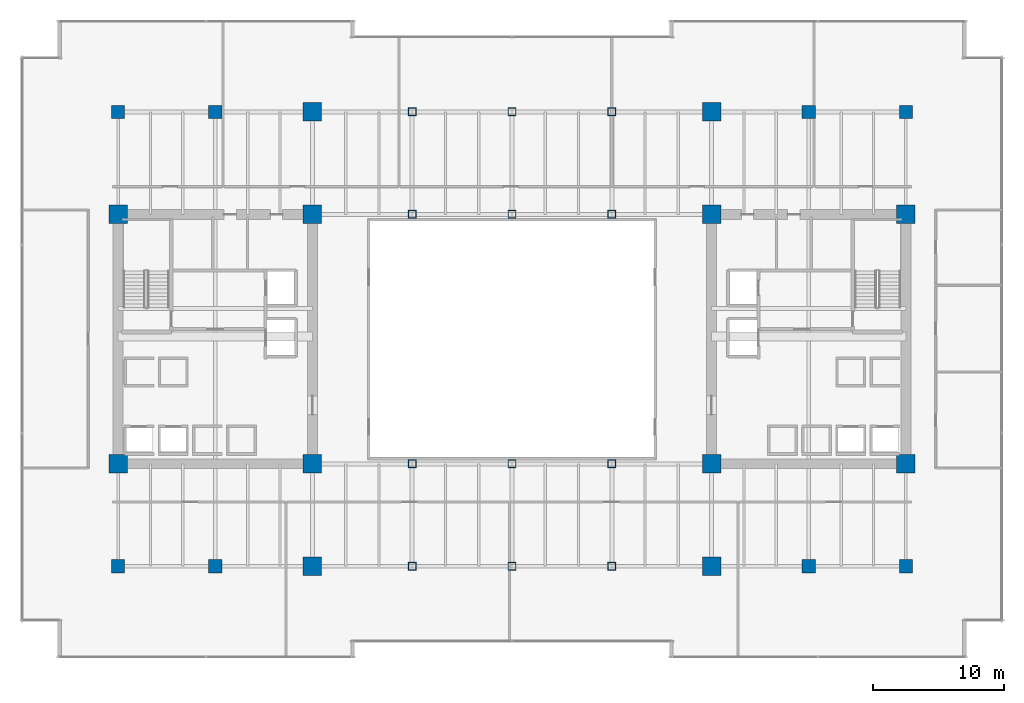
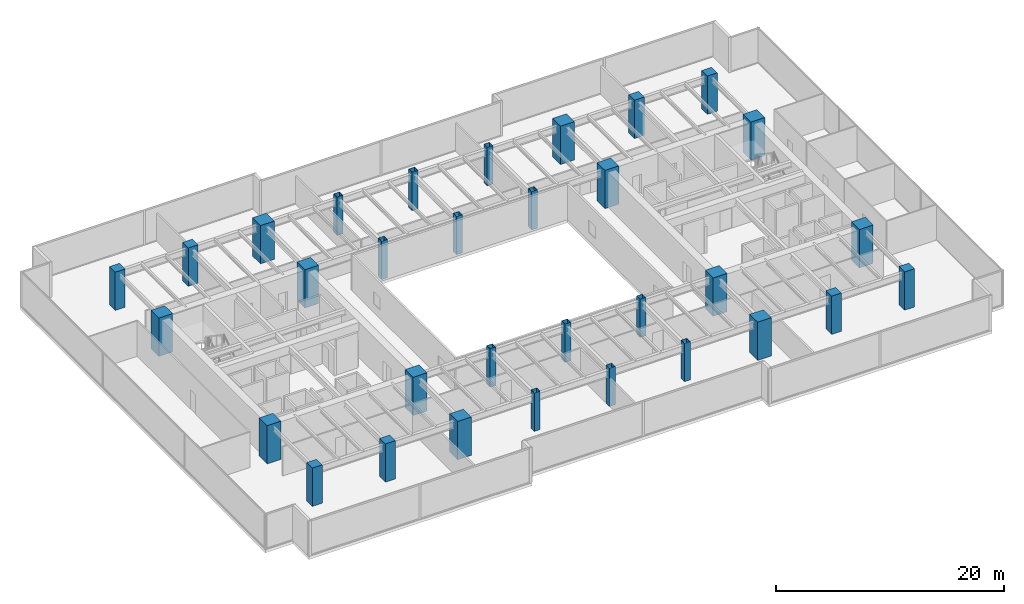
# One storey, part 1 of 35: 32 columns.
"""IFC4 building model written with IfcOpenShell, lengths in metres."""

from ifc_helpers import new_model, si_unit, direction, frame, origin, origin_2d, place, context, subcontext, project, spatial, rectangle, hollow_rectangle, extrude, source, transform, mapped, material, material_profile, profile_set, type_object, type_shapes, element, save


model = new_model("IFC4")

# Units and contexts
model_context = context("Model", 3, precision=1e-05, world=origin(), true_north=direction((0.0, 1.0)))
body_context = subcontext(model_context, "Body", "Model", "MODEL_VIEW")
ifc_project = project(units=[si_unit("LENGTHUNIT", "METRE"), si_unit("AREAUNIT", "SQUARE_METRE"), si_unit("VOLUMEUNIT", "CUBIC_METRE"), si_unit("PLANEANGLEUNIT", "RADIAN"), si_unit("MASSUNIT", "GRAM", prefix="KILO")], contexts=[model_context])

# Site, building, storey
site_placement = place(None, origin())
site = spatial("IfcSite", under=ifc_project, at=site_placement, CompositionType="ELEMENT")
building_placement = place(site_placement, origin())
building = spatial("IfcBuilding", under=site, at=building_placement, Name="Haelvirn Gate Laboratories", CompositionType="ELEMENT")
storey_placement = place(building_placement, frame((0.0, 0.0, 70.300048828125)))
storey = spatial("IfcBuildingStorey", under=building, at=storey_placement, Name="L17", CompositionType="ELEMENT", Elevation=70.300048828125)

# Columns
ifc_material_1 = material(Name="Concrete C60/75", Category="concrete")
ifc_material_profile_1 = material_profile(ifc_material_1, rectangle(XDim=1.0, YDim=1.0, at=origin_2d()), Name="RC-1000x1000")
ifc_profile_set_1 = profile_set([ifc_material_profile_1], Name="Concrete C60/75")
column_type_1 = type_object("IfcColumnType", Name="COL-RC-1000", PredefinedType="COLUMN", material=ifc_profile_set_1)
shared_shape_1 = source(origin(), body_context, "Body", "SweptSolid", [
    extrude(rectangle(XDim=1.0, YDim=1.0, at=origin_2d()), origin(), (0.0, 0.0, 1.0), 4.099853515625),
])
type_shapes(column_type_1, [shared_shape_1])
for number, where, z_axis, x_axis, name in (
    (1, (14.800048828125, 7.0, 0.0), (0.0, 0.0, 1.0), (1.0, 0.0, 0.0), "L17 Column 3B"),
    (2, (14.800048828125, 41.60009765625, 0.0), (0.0, 0.0, 1.0), (1.0, 0.0, 0.0), "L17 Column 3G"),
    (3, (60.0, 7.0, 0.0), (0.0, 0.0, 1.0), (1.0, 0.0, 0.0), "L17 Column 9B"),
    (4, (60.0, 41.60009765625, 0.0), (0.0, 0.0, 1.0), (1.0, 0.0, 0.0), "L17 Column 9G"),
    (5, (7.39990234375, 7.0, 0.0), (0.0, 0.0, 1.0), (1.0, 0.0, 0.0), "L17 Column 2B"),
    (6, (7.39990234375, 41.60009765625, 0.0), (0.0, 0.0, 1.0), (1.0, 0.0, 0.0), "L17 Column 2G"),
    (7, (67.39990234375, 7.0, 0.0), (0.0, 0.0, 1.0), (1.0, 0.0, 0.0), "L17 Column 10B"),
    (8, (67.39990234375, 41.60009765625, 0.0), (0.0, 0.0, 1.0), (1.0, 0.0, 0.0), "L17 Column 10G"),
):
    element("IfcColumn", number, at=place(storey_placement, frame(where, z_axis=z_axis, x_axis=x_axis)), inside=storey, type_object=column_type_1, Name=name, PredefinedType="COLUMN", context=body_context, shape_type="MappedRepresentation", body=[
        mapped(shared_shape_1, transform((0.0, 0.0, 0.0), scale=1.0)),
    ])
ifc_material_2 = material(Name="Concrete C70/85", Category="concrete")
ifc_material_profile_2 = material_profile(ifc_material_2, rectangle(XDim=1.39990234375, YDim=1.39990234375, at=origin_2d()), Name="SRC-1400x1400")
ifc_profile_set_2 = profile_set([ifc_material_profile_2], Name="Concrete C70/85")
column_type_2 = type_object("IfcColumnType", Name="COL-SRC-1400", PredefinedType="COLUMN", material=ifc_profile_set_2)
shared_shape_2 = source(origin(), body_context, "Body", "SweptSolid", [
    extrude(rectangle(XDim=1.39990234375, YDim=1.39990234375, at=origin_2d()), origin(), (0.0, 0.0, 1.0), 4.099853515625),
])
type_shapes(column_type_2, [shared_shape_2])
for number, where, z_axis, x_axis, name in (
    (9, (22.199951171875, 7.0, 0.0), (0.0, 0.0, 1.0), (1.0, 0.0, 0.0), "L17 Column 4B"),
    (10, (7.39990234375, 14.800048828125, 0.0), (0.0, 0.0, 1.0), (1.0, 0.0, 0.0), "L17 Column 2C"),
    (11, (22.199951171875, 14.800048828125, 0.0), (0.0, 0.0, 1.0), (1.0, 0.0, 0.0), "L17 Column 4C"),
    (12, (7.39990234375, 33.800048828125, 0.0), (0.0, 0.0, 1.0), (1.0, 0.0, 0.0), "L17 Column 2F"),
    (13, (22.199951171875, 33.800048828125, 0.0), (0.0, 0.0, 1.0), (1.0, 0.0, 0.0), "L17 Column 4F"),
    (14, (22.199951171875, 41.60009765625, 0.0), (0.0, 0.0, 1.0), (1.0, 0.0, 0.0), "L17 Column 4G"),
    (15, (52.60009765625, 7.0, 0.0), (0.0, 0.0, 1.0), (1.0, 0.0, 0.0), "L17 Column 8B"),
    (16, (52.60009765625, 14.800048828125, 0.0), (0.0, 0.0, 1.0), (1.0, 0.0, 0.0), "L17 Column 8C"),
    (17, (67.39990234375, 14.800048828125, 0.0), (0.0, 0.0, 1.0), (1.0, 0.0, 0.0), "L17 Column 10C"),
    (18, (52.60009765625, 33.800048828125, 0.0), (0.0, 0.0, 1.0), (1.0, 0.0, 0.0), "L17 Column 8F"),
    (19, (67.39990234375, 33.800048828125, 0.0), (0.0, 0.0, 1.0), (1.0, 0.0, 0.0), "L17 Column 10F"),
    (20, (52.60009765625, 41.60009765625, 0.0), (0.0, 0.0, 1.0), (1.0, 0.0, 0.0), "L17 Column 8G"),
):
    element("IfcColumn", number, at=place(storey_placement, frame(where, z_axis=z_axis, x_axis=x_axis)), inside=storey, type_object=column_type_2, Name=name, PredefinedType="COLUMN", context=body_context, shape_type="MappedRepresentation", body=[
        mapped(shared_shape_2, transform((0.0, 0.0, 0.0), scale=1.0)),
    ])
ifc_material_3 = material(Name="Steel SM420", Category="steel")
ifc_material_profile_3 = material_profile(ifc_material_3, hollow_rectangle(XDim=0.60009765625, YDim=0.60009765625, WallThickness=0.028076171875, at=origin_2d()), Name="BOX-600x600x28")
ifc_profile_set_3 = profile_set([ifc_material_profile_3], Name="Steel SM420")
column_type_3 = type_object("IfcColumnType", Name="COL-BOX-600", PredefinedType="COLUMN", material=ifc_profile_set_3)
shared_shape_3 = source(origin(), body_context, "Body", "SweptSolid", [
    extrude(hollow_rectangle(XDim=0.60009765625, YDim=0.60009765625, WallThickness=0.028076171875, at=origin_2d()), origin(), (0.0, 0.0, 1.0), 4.099853515625),
])
type_shapes(column_type_3, [shared_shape_3])
for number, where, z_axis, x_axis, name in (
    (21, (29.800048828125, 7.0, 0.0), (0.0, 0.0, 1.0), (1.0, 0.0, 0.0), "L17 Column 5B"),
    (22, (29.800048828125, 14.800048828125, 0.0), (0.0, 0.0, 1.0), (1.0, 0.0, 0.0), "L17 Column 5C"),
    (23, (29.800048828125, 33.800048828125, 0.0), (0.0, 0.0, 1.0), (1.0, 0.0, 0.0), "L17 Column 5F"),
    (24, (29.800048828125, 41.60009765625, 0.0), (0.0, 0.0, 1.0), (1.0, 0.0, 0.0), "L17 Column 5G"),
    (25, (37.39990234375, 7.0, 0.0), (0.0, 0.0, 1.0), (1.0, 0.0, 0.0), "L17 Column 6B"),
    (26, (37.39990234375, 14.800048828125, 0.0), (0.0, 0.0, 1.0), (1.0, 0.0, 0.0), "L17 Column 6C"),
    (27, (37.39990234375, 33.800048828125, 0.0), (0.0, 0.0, 1.0), (1.0, 0.0, 0.0), "L17 Column 6F"),
    (28, (37.39990234375, 41.60009765625, 0.0), (0.0, 0.0, 1.0), (1.0, 0.0, 0.0), "L17 Column 6G"),
    (29, (45.0, 7.0, 0.0), (0.0, 0.0, 1.0), (1.0, 0.0, 0.0), "L17 Column 7B"),
    (30, (45.0, 14.800048828125, 0.0), (0.0, 0.0, 1.0), (1.0, 0.0, 0.0), "L17 Column 7C"),
    (31, (45.0, 33.800048828125, 0.0), (0.0, 0.0, 1.0), (1.0, 0.0, 0.0), "L17 Column 7F"),
    (32, (45.0, 41.60009765625, 0.0), (0.0, 0.0, 1.0), (1.0, 0.0, 0.0), "L17 Column 7G"),
):
    element("IfcColumn", number, at=place(storey_placement, frame(where, z_axis=z_axis, x_axis=x_axis)), inside=storey, type_object=column_type_3, Name=name, PredefinedType="COLUMN", context=body_context, shape_type="MappedRepresentation", body=[
        mapped(shared_shape_3, transform((0.0, 0.0, 0.0), scale=1.0)),
    ])

save(model, "model.ifc")
